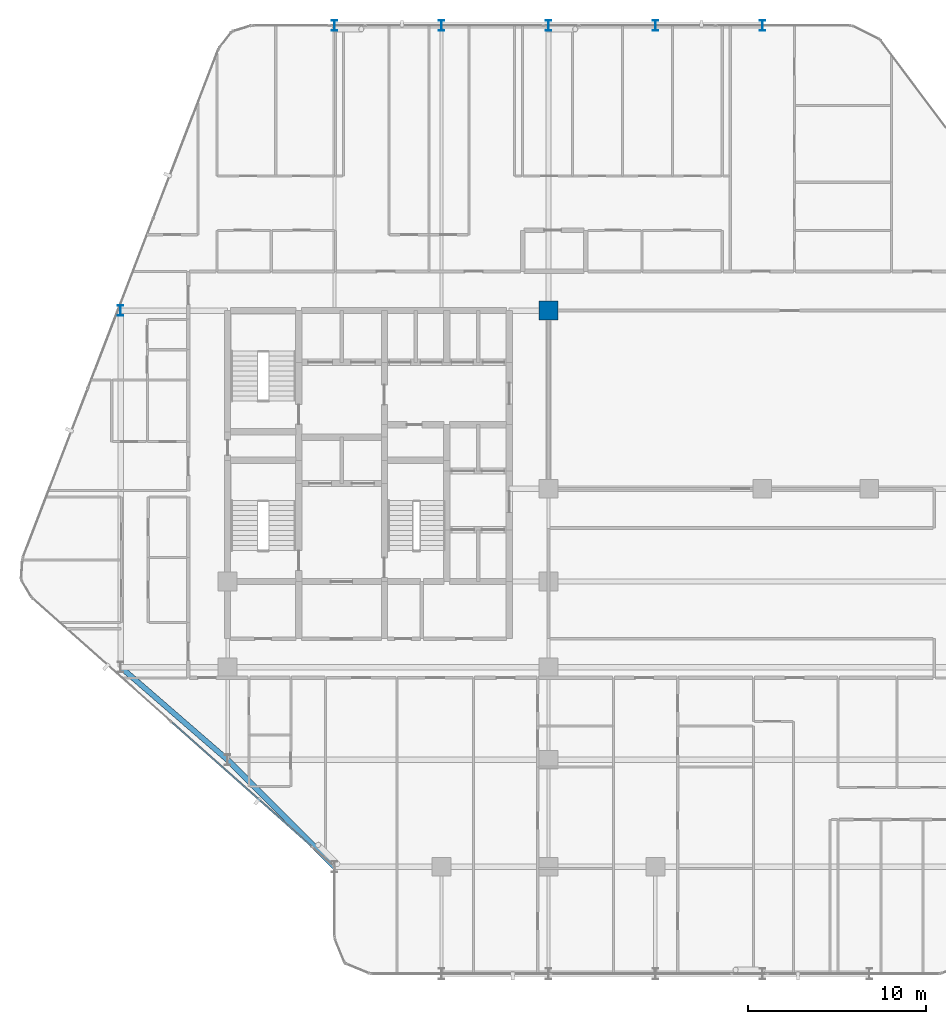
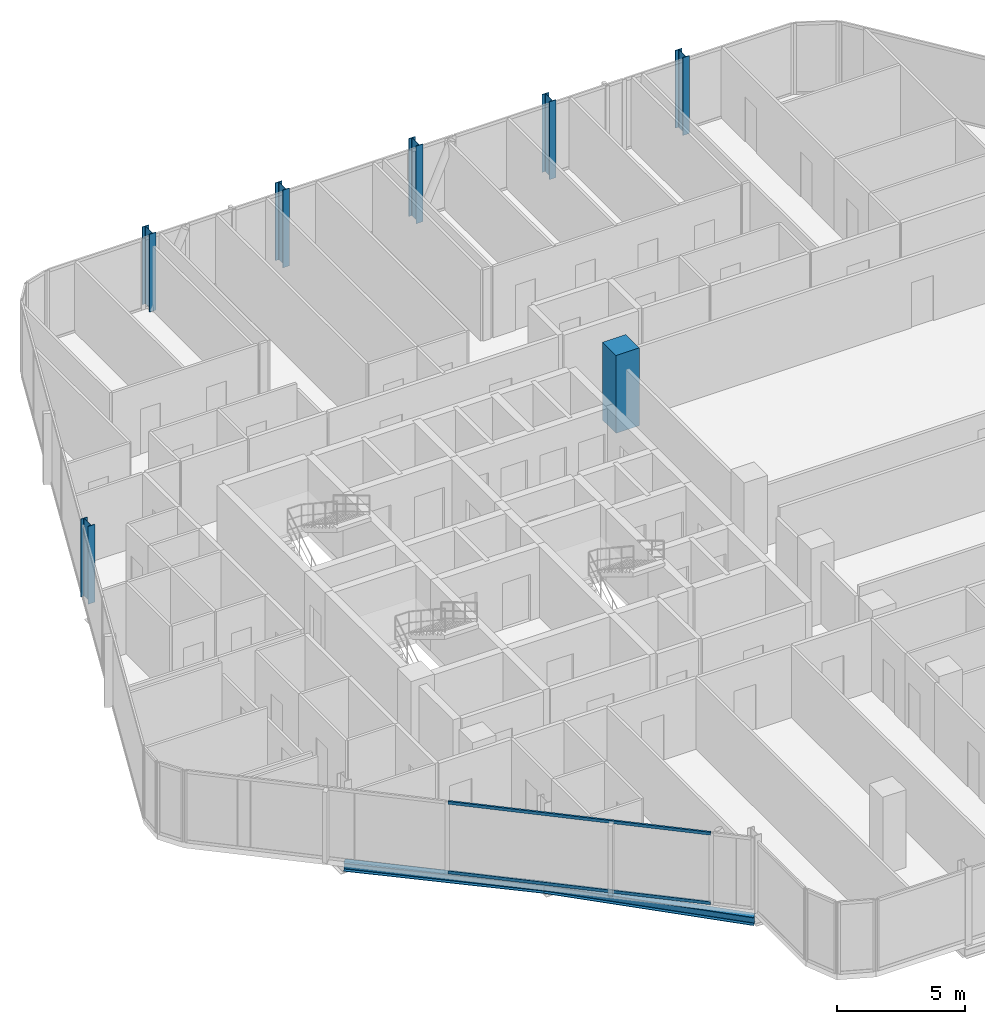
# One storey, part 2 of 30: 7 columns, 2 beams, 2 members, 1 element without a shape of its own.
"""IFC4 building model written with IfcOpenShell, lengths in metres."""

from ifc_helpers import new_model, si_unit, direction, frame, origin, origin_2d, place, context, subcontext, project, spatial, rectangle, hollow_rectangle, i_section, extrude, material, layer, layer_set, material_profile, profile_set, type_object, element, aggregate, save


model = new_model("IFC4")

# Units and contexts
model_context = context("Model", 3, precision=1e-05, world=origin(), true_north=direction((0.0, 1.0)))
body_context = subcontext(model_context, "Body", "Model", "MODEL_VIEW")
ifc_project = project(units=[si_unit("LENGTHUNIT", "METRE"), si_unit("AREAUNIT", "SQUARE_METRE"), si_unit("VOLUMEUNIT", "CUBIC_METRE"), si_unit("PLANEANGLEUNIT", "RADIAN"), si_unit("MASSUNIT", "GRAM", prefix="KILO")], contexts=[model_context])

# Site, building, storey
site_placement = place(None, origin())
site = spatial("IfcSite", under=ifc_project, at=site_placement, CompositionType="ELEMENT")
building_placement = place(site_placement, origin())
building = spatial("IfcBuilding", under=site, at=building_placement, Name="Keshet Zoharim Tower", CompositionType="ELEMENT")
storey_placement = place(building_placement, frame((0.0, 0.0, 116.800048828125)))
storey = spatial("IfcBuildingStorey", under=building, at=storey_placement, Name="L28", CompositionType="ELEMENT", Elevation=116.800048828125)

# Columns
ifc_material_1 = material(Name="Steel S355", Category="steel")
ifc_material_profile_1 = material_profile(ifc_material_1, i_section(OverallWidth=0.300048828125, OverallDepth=0.60009765625, WebThickness=0.015380859375, FlangeThickness=0.030029296875, FilletRadius=0.027099609375, at=origin_2d()), Name="HEB600")
ifc_profile_set_1 = profile_set([ifc_material_profile_1], Name="Steel S355")
column_type_1 = type_object("IfcColumnType", Name="COL-HEB600", PredefinedType="COLUMN", material=ifc_profile_set_1)
for number, where, z_axis, x_axis, name in (
    (1, (9.0, 37.89990234375, 0.0), (0.0, 0.0, 1.0), (1.0, 0.0, 0.0), "L28 Column 2H"),
    (2, (21.0, 53.89990234375, 0.0), (0.0, 0.0, 1.0), (1.0, 0.0, 0.0), "L28 Column 4L"),
    (3, (27.0, 53.89990234375, 0.0), (0.0, 0.0, 1.0), (1.0, 0.0, 0.0), "L28 Column 5L"),
    (4, (33.0, 53.89990234375, 0.0), (0.0, 0.0, 1.0), (1.0, 0.0, 0.0), "L28 Column 6L"),
    (5, (39.0, 53.89990234375, 0.0), (0.0, 0.0, 1.0), (1.0, 0.0, 0.0), "L28 Column 7L"),
    (6, (45.0, 53.89990234375, 0.0), (0.0, 0.0, 1.0), (1.0, 0.0, 0.0), "L28 Column 8L"),
):
    element("IfcColumn", number, at=place(storey_placement, frame(where, z_axis=z_axis, x_axis=x_axis)), inside=storey, type_object=column_type_1, Name=name, PredefinedType="COLUMN", context=body_context, shape_type="SweptSolid", body=[
        extrude(i_section(OverallWidth=0.300048828125, OverallDepth=0.60009765625, WebThickness=0.015380859375, FlangeThickness=0.030029296875, FilletRadius=0.027099609375, at=origin_2d()), origin(), (0.0, 0.0, 1.0), 3.699951171875),
    ])
ifc_material_2 = material(Name="Concrete C60/75", Category="concrete")
ifc_material_profile_2 = material_profile(ifc_material_2, rectangle(XDim=1.050048828125, YDim=1.050048828125, at=origin_2d()), Name="RC1050x1050")
ifc_profile_set_2 = profile_set([ifc_material_profile_2], Name="Concrete C60/75")
column_type_2 = type_object("IfcColumnType", Name="COL-RC1050", PredefinedType="COLUMN", material=ifc_profile_set_2)
column_placement = place(storey_placement, frame((33.0, 37.89990234375, 0.0), z_axis=(0.0, 0.0, 1.0), x_axis=(1.0, 0.0, 0.0)))
element("IfcColumn", 7, at=column_placement, inside=storey, type_object=column_type_2, Name="L28 Column 6H", PredefinedType="COLUMN", context=body_context, shape_type="SweptSolid", body=[
    extrude(rectangle(XDim=1.050048828125, YDim=1.050048828125, at=origin_2d()), origin(), (0.0, 0.0, 1.0), 3.699951171875),
])

# Beams
ifc_material_profile_3 = material_profile(ifc_material_1, i_section(OverallWidth=0.300048828125, OverallDepth=0.39990234375, WebThickness=0.013427734375, FlangeThickness=0.02392578125, FilletRadius=0.027099609375, at=origin_2d()), Name="HEB400")
ifc_profile_set_3 = profile_set([ifc_material_profile_3], Name="Steel S355")
beam_type = type_object("IfcBeamType", Name="BM-SPN-HB400", PredefinedType="SPANDREL", material=ifc_profile_set_3)
beam_1_placement = place(storey_placement, frame((21.0, 6.699951171875, -0.51513671875), z_axis=(-0.707106781187, 0.707106781187, 0.0), x_axis=(-0.707106781187, -0.707106781187, 0.0)))
element("IfcBeam", 8, at=beam_1_placement, inside=storey, type_object=beam_type, Name="L28 Perimeter Spandrel Beam 01", PredefinedType="SPANDREL", context=body_context, shape_type="SweptSolid", body=[
    extrude(i_section(OverallWidth=0.300048828125, OverallDepth=0.39990234375, WebThickness=0.013427734375, FlangeThickness=0.02392578125, FilletRadius=0.027099609375, at=origin_2d()), origin(), (0.0, 0.0, 1.0), 8.4853515625),
])
beam_2_placement = place(storey_placement, frame((9.0, 17.89990234375, -0.51513671875), z_axis=(0.755692126483, -0.654927026447, 0.0), x_axis=(0.654927026447, 0.755692126483, 0.0)))
element("IfcBeam", 9, at=beam_2_placement, inside=storey, type_object=beam_type, Name="L28 Perimeter Spandrel Beam 02", PredefinedType="SPANDREL", context=body_context, shape_type="SweptSolid", body=[
    extrude(i_section(OverallWidth=0.300048828125, OverallDepth=0.39990234375, WebThickness=0.013427734375, FlangeThickness=0.02392578125, FilletRadius=0.027099609375, at=origin_2d()), origin(), (0.0, 0.0, 1.0), 7.939697265625),
])

# Curtain wall, members
ifc_material_3 = material(Name="Aluminium 6063-T6", Category="aluminium")
ifc_layer = layer(ifc_material_3, 0.159912109375)
ifc_layer_set = layer_set([ifc_layer], Name="Aluminium 6063-T6")
curtain_wall_type = type_object("IfcCurtainWallType", Name="CW-SYS-03", PredefinedType="NOTDEFINED", material=ifc_layer_set)
curtain_wall_placement = place(storey_placement, origin())
curtain_wall = element("IfcCurtainWall", 10, at=curtain_wall_placement, inside=storey, type_object=curtain_wall_type, Name="L28 Unitised Curtain Wall 07 Part 2", PredefinedType="NOTDEFINED")
ifc_material_profile_4 = material_profile(ifc_material_3, hollow_rectangle(XDim=0.080078125, YDim=0.139892578125, WallThickness=0.00390625, at=origin_2d()), Name="TRN-80x140")
ifc_profile_set_4 = profile_set([ifc_material_profile_4], Name="Aluminium 6063-T6")
member_type = type_object("IfcMemberType", Name="CWT-T14", PredefinedType="USERDEFINED", material=ifc_profile_set_4)
member_1_placement = place(storey_placement, frame((19.6953125, 7.85986328125, 0.034912109375), z_axis=(-0.747413188834, 0.664359484885, 0.0), x_axis=(-0.664359484885, -0.747413188834, 0.0)))
member_1 = element("IfcMember", 11, at=member_1_placement, type_object=member_type, Name="CW-03 transom 1.1", ObjectType="TRANSOM", PredefinedType="USERDEFINED", context=body_context, shape_type="SweptSolid", body=[
    extrude(hollow_rectangle(XDim=0.080078125, YDim=0.139892578125, WallThickness=0.00390625, at=origin_2d()), origin(), (0.0, 0.0, 1.0), 10.44140625),
])
member_2_placement = place(storey_placement, frame((19.6953125, 7.85986328125, 3.344970703125), z_axis=(-0.747413188834, 0.664359484885, 0.0), x_axis=(-0.664359484885, -0.747413188834, 0.0)))
member_2 = element("IfcMember", 12, at=member_2_placement, type_object=member_type, Name="CW-03 transom 1.2", ObjectType="TRANSOM", PredefinedType="USERDEFINED", context=body_context, shape_type="SweptSolid", body=[
    extrude(hollow_rectangle(XDim=0.080078125, YDim=0.139892578125, WallThickness=0.00390625, at=origin_2d()), origin(), (0.0, 0.0, 1.0), 10.44140625),
])
aggregate(curtain_wall, [member_1, member_2])

save(model, "model.ifc")
